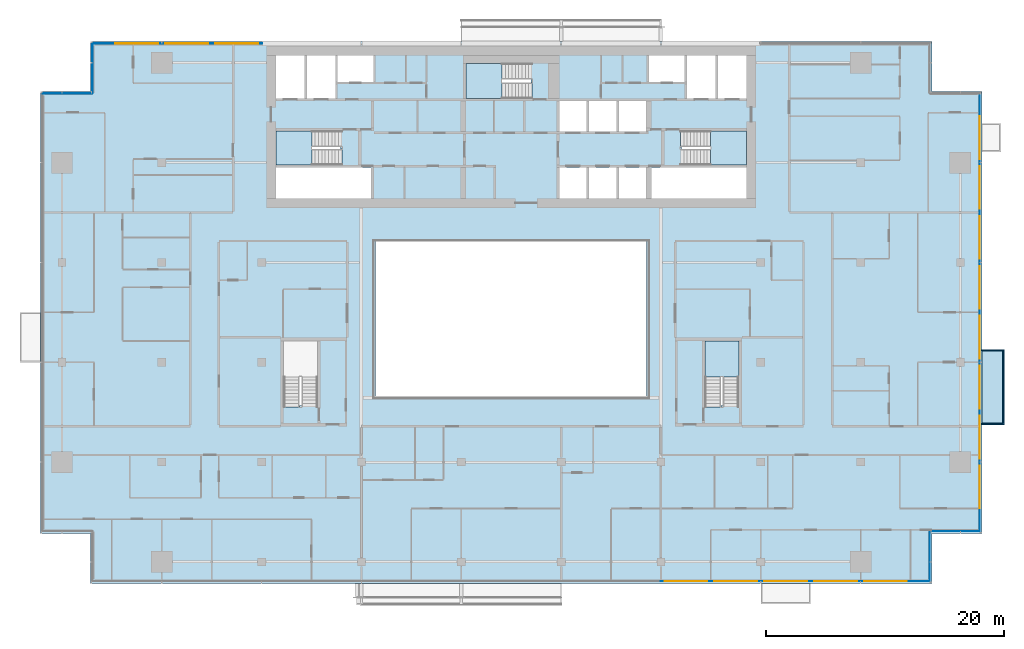
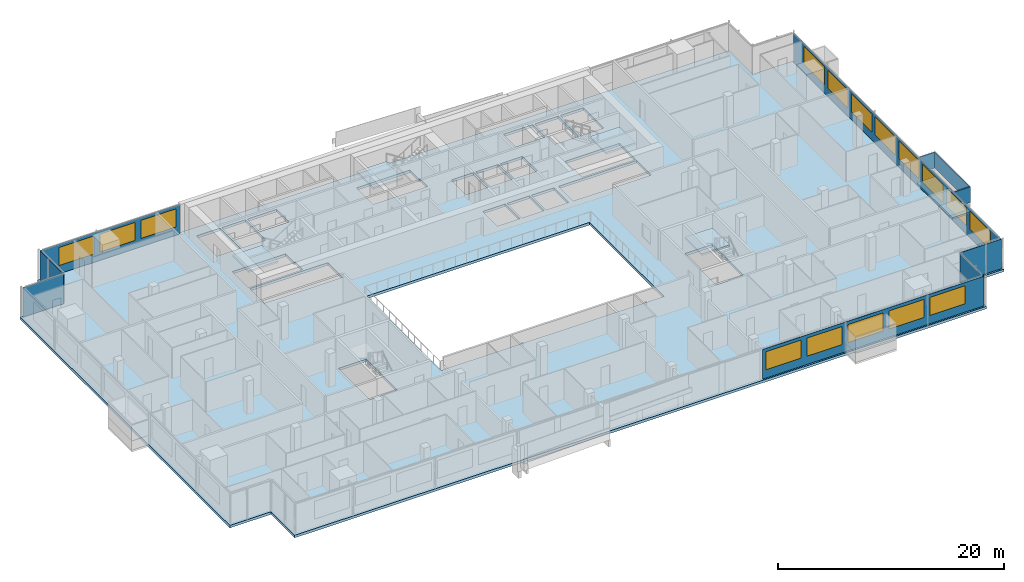
# One storey, part 15 of 27: 16 windows, 8 plates, 6 slabs, 16 openings, 11 elements without a shape of their own.
"""IFC4 building model written with IfcOpenShell, lengths in metres."""

from ifc_helpers import new_model, si_unit, direction, frame, frame_2d, origin, place, context, subcontext, project, spatial, polyline, rectangle, outline, extrude, material, layer, layer_set, type_object, element, fill, aggregate, save


model = new_model("IFC4")

# Units and contexts
model_context = context("Model", 3, precision=1e-05, world=origin(), true_north=direction((0.0, 1.0)))
body_context = subcontext(model_context, "Body", "Model", "MODEL_VIEW")
ifc_project = project(units=[si_unit("LENGTHUNIT", "METRE"), si_unit("AREAUNIT", "SQUARE_METRE"), si_unit("VOLUMEUNIT", "CUBIC_METRE"), si_unit("PLANEANGLEUNIT", "RADIAN"), si_unit("MASSUNIT", "GRAM", prefix="KILO")], contexts=[model_context])

# Site, building, storey
site_placement = place(None, origin())
site = spatial("IfcSite", under=ifc_project, at=site_placement, CompositionType="ELEMENT")
building_placement = place(site_placement, origin())
building = spatial("IfcBuilding", under=site, at=building_placement, Name="Saffron Gate Tower", CompositionType="ELEMENT")
storey_placement = place(building_placement, frame((0.0, 0.0, 172.64990234375)))
storey = spatial("IfcBuildingStorey", under=building, at=storey_placement, Name="L42", CompositionType="ELEMENT", Elevation=172.64990234375)

# Curtain wall, plate, openings, windows
ifc_material_1 = material(Name="Aluminium, bronze anodised", Category="aluminium")
curtain_wall_type_1 = type_object("IfcCurtainWallType", Name="CWS1 curtain wall front facade", PredefinedType="NOTDEFINED", material=ifc_material_1)
curtain_wall_1_placement = place(storey_placement, origin())
curtain_wall_1 = element("IfcCurtainWall", 1, at=curtain_wall_1_placement, inside=storey, type_object=curtain_wall_type_1, Name="CWS1 run 1", PredefinedType="NOTDEFINED")
ifc_material_2 = material(Name="Fritted bronze-tinted laminated glass", Category="glass")
ifc_layer_1 = layer(ifc_material_2, 0.028076171875)
ifc_layer_set_1 = layer_set([ifc_layer_1], Name="CWS1 fixed glass")
plate_type_1 = type_object("IfcPlateType", Name="CWS1 fixed glass", PredefinedType="CURTAIN_PANEL", material=ifc_layer_set_1)
plate_1_placement = place(storey_placement, frame((100.169921875, 30.174072265625, 0.0), z_axis=(0.0, 0.0, 1.0), x_axis=(1.0, 0.0, 0.0)))
plate_1 = element("IfcPlate", 2, at=plate_1_placement, type_object=plate_type_1, Name="CWS1 glass panel", PredefinedType="CURTAIN_PANEL", context=body_context, shape_type="SweptSolid", body=[
    extrude(rectangle(XDim=22.64208984375, YDim=0.028076171875, at=frame_2d((11.321044921875, 0.0))), origin(), (0.0, 0.0, 1.0), 3.2001953125),
])
opening_1_placement = place(plate_1_placement, frame((0.330078125, 0.0, 0.89990234375)))
opening_1 = element("IfcOpeningElement", 3, at=opening_1_placement, cuts=plate_1, Name="Opening W1", PredefinedType="OPENING", context=body_context, shape_type="SweptSolid", body=[
    extrude(rectangle(XDim=3.60009765625, YDim=1.949951171875, at=frame_2d((1.800048828125, 0.97509765625))), frame((0.0, 0.02392578125, 0.0), z_axis=(0.0, -1.0, 0.0), x_axis=(1.0, 0.0, 0.0)), (0.0, 0.0, 1.0), 0.048095703125),
])
opening_2_placement = place(plate_1_placement, frame((4.530029296875, 0.0, 0.89990234375)))
opening_2 = element("IfcOpeningElement", 4, at=opening_2_placement, cuts=plate_1, Name="Opening W1", PredefinedType="OPENING", context=body_context, shape_type="SweptSolid", body=[
    extrude(rectangle(XDim=3.60009765625, YDim=1.949951171875, at=frame_2d((1.800048828125, 0.97509765625))), frame((0.0, 0.02392578125, 0.0), z_axis=(0.0, -1.0, 0.0), x_axis=(1.0, 0.0, 0.0)), (0.0, 0.0, 1.0), 0.048095703125),
])
opening_3_placement = place(plate_1_placement, frame((8.72998046875, 0.0, 0.89990234375)))
opening_3 = element("IfcOpeningElement", 5, at=opening_3_placement, cuts=plate_1, Name="Opening W1", PredefinedType="OPENING", context=body_context, shape_type="SweptSolid", body=[
    extrude(rectangle(XDim=3.60009765625, YDim=1.949951171875, at=frame_2d((1.800048828125, 0.97509765625))), frame((0.0, 0.02392578125, 0.0), z_axis=(0.0, -1.0, 0.0), x_axis=(1.0, 0.0, 0.0)), (0.0, 0.0, 1.0), 0.048095703125),
])
opening_4_placement = place(plate_1_placement, frame((12.929931640625, 0.0, 0.89990234375)))
opening_4 = element("IfcOpeningElement", 6, at=opening_4_placement, cuts=plate_1, Name="Opening W1", PredefinedType="OPENING", context=body_context, shape_type="SweptSolid", body=[
    extrude(rectangle(XDim=3.60009765625, YDim=1.949951171875, at=frame_2d((1.800048828125, 0.97509765625))), frame((0.0, 0.02392578125, 0.0), z_axis=(0.0, -1.0, 0.0), x_axis=(1.0, 0.0, 0.0)), (0.0, 0.0, 1.0), 0.048095703125),
])
opening_5_placement = place(plate_1_placement, frame((17.1298828125, 0.0, 0.89990234375)))
opening_5 = element("IfcOpeningElement", 7, at=opening_5_placement, cuts=plate_1, Name="Opening W1", PredefinedType="OPENING", context=body_context, shape_type="SweptSolid", body=[
    extrude(rectangle(XDim=3.60009765625, YDim=1.949951171875, at=frame_2d((1.800048828125, 0.97509765625))), frame((0.0, 0.02392578125, 0.0), z_axis=(0.0, -1.0, 0.0), x_axis=(1.0, 0.0, 0.0)), (0.0, 0.0, 1.0), 0.048095703125),
])
ifc_material_3 = material(Name="Fritted bronze-tinted laminated glass in bronze frame", Category="glass")
ifc_layer_2 = layer(ifc_material_3, 0.06005859375)
ifc_layer_set_2 = layer_set([ifc_layer_2], Name="W1 operable panel 3600x1950")
window_type = type_object("IfcWindowType", Name="W1 operable panel 3600x1950", PartitioningType="DOUBLE_PANEL_HORIZONTAL", PredefinedType="WINDOW", material=ifc_layer_set_2)
window_1_placement = place(opening_1_placement, origin())
window_1 = element("IfcWindow", 8, at=window_1_placement, type_object=window_type, Name="W1 operable panel", OverallHeight=1.949951171875, OverallWidth=3.60009765625, PartitioningType="SINGLE_PANEL", PredefinedType="WINDOW", context=body_context, shape_type="SweptSolid", body=[
    extrude(rectangle(XDim=3.60009765625, YDim=1.949951171875, at=frame_2d((1.800048828125, 0.97509765625))), frame((0.0, 0.013671875, 0.0), z_axis=(0.0, -1.0, 0.0), x_axis=(1.0, 0.0, 0.0)), (0.0, 0.0, 1.0), 0.027587890625),
])
fill(opening_1, window_1)
window_2_placement = place(opening_2_placement, origin())
window_2 = element("IfcWindow", 9, at=window_2_placement, type_object=window_type, Name="W1 operable panel", OverallHeight=1.949951171875, OverallWidth=3.60009765625, PartitioningType="SINGLE_PANEL", PredefinedType="WINDOW", context=body_context, shape_type="SweptSolid", body=[
    extrude(rectangle(XDim=3.60009765625, YDim=1.949951171875, at=frame_2d((1.800048828125, 0.97509765625))), frame((0.0, 0.013671875, 0.0), z_axis=(0.0, -1.0, 0.0), x_axis=(1.0, 0.0, 0.0)), (0.0, 0.0, 1.0), 0.027587890625),
])
fill(opening_2, window_2)
window_3_placement = place(opening_3_placement, origin())
window_3 = element("IfcWindow", 10, at=window_3_placement, type_object=window_type, Name="W1 operable panel", OverallHeight=1.949951171875, OverallWidth=3.60009765625, PartitioningType="SINGLE_PANEL", PredefinedType="WINDOW", context=body_context, shape_type="SweptSolid", body=[
    extrude(rectangle(XDim=3.60009765625, YDim=1.949951171875, at=frame_2d((1.800048828125, 0.97509765625))), frame((0.0, 0.013671875, 0.0), z_axis=(0.0, -1.0, 0.0), x_axis=(1.0, 0.0, 0.0)), (0.0, 0.0, 1.0), 0.027587890625),
])
fill(opening_3, window_3)
window_4_placement = place(opening_4_placement, origin())
window_4 = element("IfcWindow", 11, at=window_4_placement, type_object=window_type, Name="W1 operable panel", OverallHeight=1.949951171875, OverallWidth=3.60009765625, PartitioningType="SINGLE_PANEL", PredefinedType="WINDOW", context=body_context, shape_type="SweptSolid", body=[
    extrude(rectangle(XDim=3.60009765625, YDim=1.949951171875, at=frame_2d((1.800048828125, 0.97509765625))), frame((0.0, 0.013671875, 0.0), z_axis=(0.0, -1.0, 0.0), x_axis=(1.0, 0.0, 0.0)), (0.0, 0.0, 1.0), 0.027587890625),
])
fill(opening_4, window_4)
window_5_placement = place(opening_5_placement, origin())
window_5 = element("IfcWindow", 12, at=window_5_placement, type_object=window_type, Name="W1 operable panel", OverallHeight=1.949951171875, OverallWidth=3.60009765625, PartitioningType="SINGLE_PANEL", PredefinedType="WINDOW", context=body_context, shape_type="SweptSolid", body=[
    extrude(rectangle(XDim=3.60009765625, YDim=1.949951171875, at=frame_2d((1.800048828125, 0.97509765625))), frame((0.0, 0.013671875, 0.0), z_axis=(0.0, -1.0, 0.0), x_axis=(1.0, 0.0, 0.0)), (0.0, 0.0, 1.0), 0.027587890625),
])
fill(opening_5, window_5)
aggregate(curtain_wall_1, [plate_1, window_1, window_2, window_3, window_4, window_5])

curtain_wall_type_2 = type_object("IfcCurtainWallType", Name="CWS2 curtain wall side facades", PredefinedType="NOTDEFINED", material=ifc_material_1)
curtain_wall_2_placement = place(storey_placement, origin())
curtain_wall_2 = element("IfcCurtainWall", 13, at=curtain_wall_2_placement, inside=storey, type_object=curtain_wall_type_2, Name="CWS2 run 4", PredefinedType="NOTDEFINED")
ifc_layer_3 = layer(ifc_material_2, 0.028076171875)
ifc_layer_set_3 = layer_set([ifc_layer_3], Name="CWS2 fixed glass")
plate_type_2 = type_object("IfcPlateType", Name="CWS2 fixed glass", PredefinedType="CURTAIN_PANEL", material=ifc_layer_set_3)
plate_2_placement = place(storey_placement, frame((127.02587890625, 34.387939453125, 0.0), z_axis=(0.0, 0.0, 1.0), x_axis=(0.0, 1.0, 0.0)))
plate_2 = element("IfcPlate", 14, at=plate_2_placement, type_object=plate_type_2, Name="CWS2 glass panel", PredefinedType="CURTAIN_PANEL", context=body_context, shape_type="SweptSolid", body=[
    extrude(rectangle(XDim=36.823974609375, YDim=0.028076171875, at=frame_2d((18.412109375, 0.0))), origin(), (0.0, 0.0, 1.0), 3.2001953125),
])
opening_6_placement = place(plate_2_placement, frame((1.912109375, 0.0, 0.89990234375)))
opening_6 = element("IfcOpeningElement", 15, at=opening_6_placement, cuts=plate_2, Name="Opening W1", PredefinedType="OPENING", context=body_context, shape_type="SweptSolid", body=[
    extrude(rectangle(XDim=3.60009765625, YDim=1.949951171875, at=frame_2d((1.800048828125, 0.97509765625))), frame((0.0, 0.02392578125, 0.0), z_axis=(0.0, -1.0, 0.0), x_axis=(1.0, 0.0, 0.0)), (0.0, 0.0, 1.0), 0.048095703125),
])
opening_7_placement = place(plate_2_placement, frame((6.112060546875, 0.0, 0.89990234375)))
opening_7 = element("IfcOpeningElement", 16, at=opening_7_placement, cuts=plate_2, Name="Opening W1", PredefinedType="OPENING", context=body_context, shape_type="SweptSolid", body=[
    extrude(rectangle(XDim=3.60009765625, YDim=1.949951171875, at=frame_2d((1.800048828125, 0.97509765625))), frame((0.0, 0.02392578125, 0.0), z_axis=(0.0, -1.0, 0.0), x_axis=(1.0, 0.0, 0.0)), (0.0, 0.0, 1.0), 0.048095703125),
])
opening_8_placement = place(plate_2_placement, frame((10.31201171875, 0.0, 0.89990234375)))
opening_8 = element("IfcOpeningElement", 17, at=opening_8_placement, cuts=plate_2, Name="Opening W1", PredefinedType="OPENING", context=body_context, shape_type="SweptSolid", body=[
    extrude(rectangle(XDim=3.60009765625, YDim=1.949951171875, at=frame_2d((1.800048828125, 0.97509765625))), frame((0.0, 0.02392578125, 0.0), z_axis=(0.0, -1.0, 0.0), x_axis=(1.0, 0.0, 0.0)), (0.0, 0.0, 1.0), 0.048095703125),
])
opening_9_placement = place(plate_2_placement, frame((14.511962890625, 0.0, 0.89990234375)))
opening_9 = element("IfcOpeningElement", 18, at=opening_9_placement, cuts=plate_2, Name="Opening W1", PredefinedType="OPENING", context=body_context, shape_type="SweptSolid", body=[
    extrude(rectangle(XDim=3.60009765625, YDim=1.949951171875, at=frame_2d((1.800048828125, 0.97509765625))), frame((0.0, 0.02392578125, 0.0), z_axis=(0.0, -1.0, 0.0), x_axis=(1.0, 0.0, 0.0)), (0.0, 0.0, 1.0), 0.048095703125),
])
opening_10_placement = place(plate_2_placement, frame((18.7119140625, 0.0, 0.89990234375)))
opening_10 = element("IfcOpeningElement", 19, at=opening_10_placement, cuts=plate_2, Name="Opening W1", PredefinedType="OPENING", context=body_context, shape_type="SweptSolid", body=[
    extrude(rectangle(XDim=3.60009765625, YDim=1.949951171875, at=frame_2d((1.800048828125, 0.97509765625))), frame((0.0, 0.02392578125, 0.0), z_axis=(0.0, -1.0, 0.0), x_axis=(1.0, 0.0, 0.0)), (0.0, 0.0, 1.0), 0.048095703125),
])
opening_11_placement = place(plate_2_placement, frame((22.912109375, 0.0, 0.89990234375)))
opening_11 = element("IfcOpeningElement", 20, at=opening_11_placement, cuts=plate_2, Name="Opening W1", PredefinedType="OPENING", context=body_context, shape_type="SweptSolid", body=[
    extrude(rectangle(XDim=3.60009765625, YDim=1.949951171875, at=frame_2d((1.800048828125, 0.97509765625))), frame((0.0, 0.02392578125, 0.0), z_axis=(0.0, -1.0, 0.0), x_axis=(1.0, 0.0, 0.0)), (0.0, 0.0, 1.0), 0.048095703125),
])
opening_12_placement = place(plate_2_placement, frame((27.112060546875, 0.0, 0.89990234375)))
opening_12 = element("IfcOpeningElement", 21, at=opening_12_placement, cuts=plate_2, Name="Opening W1", PredefinedType="OPENING", context=body_context, shape_type="SweptSolid", body=[
    extrude(rectangle(XDim=3.60009765625, YDim=1.949951171875, at=frame_2d((1.800048828125, 0.97509765625))), frame((0.0, 0.02392578125, 0.0), z_axis=(0.0, -1.0, 0.0), x_axis=(1.0, 0.0, 0.0)), (0.0, 0.0, 1.0), 0.048095703125),
])
opening_13_placement = place(plate_2_placement, frame((31.31201171875, 0.0, 0.89990234375)))
opening_13 = element("IfcOpeningElement", 22, at=opening_13_placement, cuts=plate_2, Name="Opening W1", PredefinedType="OPENING", context=body_context, shape_type="SweptSolid", body=[
    extrude(rectangle(XDim=3.60009765625, YDim=1.949951171875, at=frame_2d((1.800048828125, 0.97509765625))), frame((0.0, 0.02392578125, 0.0), z_axis=(0.0, -1.0, 0.0), x_axis=(1.0, 0.0, 0.0)), (0.0, 0.0, 1.0), 0.048095703125),
])
window_6_placement = place(opening_6_placement, origin())
window_6 = element("IfcWindow", 23, at=window_6_placement, type_object=window_type, Name="W1 operable panel", OverallHeight=1.949951171875, OverallWidth=3.60009765625, PartitioningType="SINGLE_PANEL", PredefinedType="WINDOW", context=body_context, shape_type="SweptSolid", body=[
    extrude(rectangle(XDim=3.60009765625, YDim=1.949951171875, at=frame_2d((1.800048828125, 0.97509765625))), frame((0.0, 0.013671875, 0.0), z_axis=(0.0, -1.0, 0.0), x_axis=(1.0, 0.0, 0.0)), (0.0, 0.0, 1.0), 0.027587890625),
])
fill(opening_6, window_6)
window_7_placement = place(opening_7_placement, origin())
window_7 = element("IfcWindow", 24, at=window_7_placement, type_object=window_type, Name="W1 operable panel", OverallHeight=1.949951171875, OverallWidth=3.60009765625, PartitioningType="SINGLE_PANEL", PredefinedType="WINDOW", context=body_context, shape_type="SweptSolid", body=[
    extrude(rectangle(XDim=3.60009765625, YDim=1.949951171875, at=frame_2d((1.800048828125, 0.97509765625))), frame((0.0, 0.013671875, 0.0), z_axis=(0.0, -1.0, 0.0), x_axis=(1.0, 0.0, 0.0)), (0.0, 0.0, 1.0), 0.027587890625),
])
fill(opening_7, window_7)
window_8_placement = place(opening_8_placement, origin())
window_8 = element("IfcWindow", 25, at=window_8_placement, type_object=window_type, Name="W1 operable panel", OverallHeight=1.949951171875, OverallWidth=3.60009765625, PartitioningType="SINGLE_PANEL", PredefinedType="WINDOW", context=body_context, shape_type="SweptSolid", body=[
    extrude(rectangle(XDim=3.60009765625, YDim=1.949951171875, at=frame_2d((1.800048828125, 0.97509765625))), frame((0.0, 0.013671875, 0.0), z_axis=(0.0, -1.0, 0.0), x_axis=(1.0, 0.0, 0.0)), (0.0, 0.0, 1.0), 0.027587890625),
])
fill(opening_8, window_8)
window_9_placement = place(opening_9_placement, origin())
window_9 = element("IfcWindow", 26, at=window_9_placement, type_object=window_type, Name="W1 operable panel", OverallHeight=1.949951171875, OverallWidth=3.60009765625, PartitioningType="SINGLE_PANEL", PredefinedType="WINDOW", context=body_context, shape_type="SweptSolid", body=[
    extrude(rectangle(XDim=3.60009765625, YDim=1.949951171875, at=frame_2d((1.800048828125, 0.97509765625))), frame((0.0, 0.013671875, 0.0), z_axis=(0.0, -1.0, 0.0), x_axis=(1.0, 0.0, 0.0)), (0.0, 0.0, 1.0), 0.027587890625),
])
fill(opening_9, window_9)
window_10_placement = place(opening_10_placement, origin())
window_10 = element("IfcWindow", 27, at=window_10_placement, type_object=window_type, Name="W1 operable panel", OverallHeight=1.949951171875, OverallWidth=3.60009765625, PartitioningType="SINGLE_PANEL", PredefinedType="WINDOW", context=body_context, shape_type="SweptSolid", body=[
    extrude(rectangle(XDim=3.60009765625, YDim=1.949951171875, at=frame_2d((1.800048828125, 0.97509765625))), frame((0.0, 0.013671875, 0.0), z_axis=(0.0, -1.0, 0.0), x_axis=(1.0, 0.0, 0.0)), (0.0, 0.0, 1.0), 0.027587890625),
])
fill(opening_10, window_10)
window_11_placement = place(opening_11_placement, origin())
window_11 = element("IfcWindow", 28, at=window_11_placement, type_object=window_type, Name="W1 operable panel", OverallHeight=1.949951171875, OverallWidth=3.60009765625, PartitioningType="SINGLE_PANEL", PredefinedType="WINDOW", context=body_context, shape_type="SweptSolid", body=[
    extrude(rectangle(XDim=3.60009765625, YDim=1.949951171875, at=frame_2d((1.800048828125, 0.97509765625))), frame((0.0, 0.013671875, 0.0), z_axis=(0.0, -1.0, 0.0), x_axis=(1.0, 0.0, 0.0)), (0.0, 0.0, 1.0), 0.027587890625),
])
fill(opening_11, window_11)
window_12_placement = place(opening_12_placement, origin())
window_12 = element("IfcWindow", 29, at=window_12_placement, type_object=window_type, Name="W1 operable panel", OverallHeight=1.949951171875, OverallWidth=3.60009765625, PartitioningType="SINGLE_PANEL", PredefinedType="WINDOW", context=body_context, shape_type="SweptSolid", body=[
    extrude(rectangle(XDim=3.60009765625, YDim=1.949951171875, at=frame_2d((1.800048828125, 0.97509765625))), frame((0.0, 0.013671875, 0.0), z_axis=(0.0, -1.0, 0.0), x_axis=(1.0, 0.0, 0.0)), (0.0, 0.0, 1.0), 0.027587890625),
])
fill(opening_12, window_12)
window_13_placement = place(opening_13_placement, origin())
window_13 = element("IfcWindow", 30, at=window_13_placement, type_object=window_type, Name="W1 operable panel", OverallHeight=1.949951171875, OverallWidth=3.60009765625, PartitioningType="SINGLE_PANEL", PredefinedType="WINDOW", context=body_context, shape_type="SweptSolid", body=[
    extrude(rectangle(XDim=3.60009765625, YDim=1.949951171875, at=frame_2d((1.800048828125, 0.97509765625))), frame((0.0, 0.013671875, 0.0), z_axis=(0.0, -1.0, 0.0), x_axis=(1.0, 0.0, 0.0)), (0.0, 0.0, 1.0), 0.027587890625),
])
fill(opening_13, window_13)
aggregate(curtain_wall_2, [plate_2, window_6, window_7, window_8, window_9, window_10, window_11, window_12, window_13])

curtain_wall_type_3 = type_object("IfcCurtainWallType", Name="CWS3 curtain wall rear facade", PredefinedType="NOTDEFINED", material=ifc_material_1)
curtain_wall_3_placement = place(storey_placement, origin())
curtain_wall_3 = element("IfcCurtainWall", 31, at=curtain_wall_3_placement, inside=storey, type_object=curtain_wall_type_3, Name="CWS3 run 7", PredefinedType="NOTDEFINED")
ifc_material_4 = material(Name="Fritted grey-tinted laminated glass", Category="glass")
ifc_layer_4 = layer(ifc_material_4, 0.028076171875)
ifc_layer_set_4 = layer_set([ifc_layer_4], Name="CWS3 fixed glass")
plate_type_3 = type_object("IfcPlateType", Name="CWS3 fixed glass", PredefinedType="CURTAIN_PANEL", material=ifc_layer_set_4)
plate_3_placement = place(storey_placement, frame((66.635009765625, 75.426025390625, 0.0), z_axis=(0.0, 0.0, 1.0), x_axis=(-1.0, 0.0, 0.0)))
plate_3 = element("IfcPlate", 32, at=plate_3_placement, type_object=plate_type_3, Name="CWS3 glass panel", PredefinedType="CURTAIN_PANEL", context=body_context, shape_type="SweptSolid", body=[
    extrude(rectangle(XDim=14.2470703125, YDim=0.028076171875, at=frame_2d((7.12353515625, 0.0))), origin(), (0.0, 0.0, 1.0), 3.2001953125),
])
opening_14_placement = place(plate_3_placement, frame((0.3349609375, 0.0, 0.89990234375)))
opening_14 = element("IfcOpeningElement", 33, at=opening_14_placement, cuts=plate_3, Name="Opening W1", PredefinedType="OPENING", context=body_context, shape_type="SweptSolid", body=[
    extrude(rectangle(XDim=3.60009765625, YDim=1.949951171875, at=frame_2d((1.800048828125, 0.97509765625))), frame((0.0, 0.02392578125, 0.0), z_axis=(0.0, -1.0, 0.0), x_axis=(1.0, 0.0, 0.0)), (0.0, 0.0, 1.0), 0.048095703125),
])
opening_15_placement = place(plate_3_placement, frame((4.534912109375, 0.0, 0.89990234375)))
opening_15 = element("IfcOpeningElement", 34, at=opening_15_placement, cuts=plate_3, Name="Opening W1", PredefinedType="OPENING", context=body_context, shape_type="SweptSolid", body=[
    extrude(rectangle(XDim=3.60009765625, YDim=1.949951171875, at=frame_2d((1.800048828125, 0.97509765625))), frame((0.0, 0.02392578125, 0.0), z_axis=(0.0, -1.0, 0.0), x_axis=(1.0, 0.0, 0.0)), (0.0, 0.0, 1.0), 0.048095703125),
])
opening_16_placement = place(plate_3_placement, frame((8.735107421875, 0.0, 0.89990234375)))
opening_16 = element("IfcOpeningElement", 35, at=opening_16_placement, cuts=plate_3, Name="Opening W1", PredefinedType="OPENING", context=body_context, shape_type="SweptSolid", body=[
    extrude(rectangle(XDim=3.60009765625, YDim=1.949951171875, at=frame_2d((1.800048828125, 0.97509765625))), frame((0.0, 0.02392578125, 0.0), z_axis=(0.0, -1.0, 0.0), x_axis=(1.0, 0.0, 0.0)), (0.0, 0.0, 1.0), 0.048095703125),
])
window_14_placement = place(opening_14_placement, origin())
window_14 = element("IfcWindow", 36, at=window_14_placement, type_object=window_type, Name="W1 operable panel", OverallHeight=1.949951171875, OverallWidth=3.60009765625, PartitioningType="SINGLE_PANEL", PredefinedType="WINDOW", context=body_context, shape_type="SweptSolid", body=[
    extrude(rectangle(XDim=3.60009765625, YDim=1.949951171875, at=frame_2d((1.800048828125, 0.97509765625))), frame((0.0, 0.013671875, 0.0), z_axis=(0.0, -1.0, 0.0), x_axis=(1.0, 0.0, 0.0)), (0.0, 0.0, 1.0), 0.027587890625),
])
fill(opening_14, window_14)
window_15_placement = place(opening_15_placement, origin())
window_15 = element("IfcWindow", 37, at=window_15_placement, type_object=window_type, Name="W1 operable panel", OverallHeight=1.949951171875, OverallWidth=3.60009765625, PartitioningType="SINGLE_PANEL", PredefinedType="WINDOW", context=body_context, shape_type="SweptSolid", body=[
    extrude(rectangle(XDim=3.60009765625, YDim=1.949951171875, at=frame_2d((1.800048828125, 0.97509765625))), frame((0.0, 0.013671875, 0.0), z_axis=(0.0, -1.0, 0.0), x_axis=(1.0, 0.0, 0.0)), (0.0, 0.0, 1.0), 0.027587890625),
])
fill(opening_15, window_15)
window_16_placement = place(opening_16_placement, origin())
window_16 = element("IfcWindow", 38, at=window_16_placement, type_object=window_type, Name="W1 operable panel", OverallHeight=1.949951171875, OverallWidth=3.60009765625, PartitioningType="SINGLE_PANEL", PredefinedType="WINDOW", context=body_context, shape_type="SweptSolid", body=[
    extrude(rectangle(XDim=3.60009765625, YDim=1.949951171875, at=frame_2d((1.800048828125, 0.97509765625))), frame((0.0, 0.013671875, 0.0), z_axis=(0.0, -1.0, 0.0), x_axis=(1.0, 0.0, 0.0)), (0.0, 0.0, 1.0), 0.027587890625),
])
fill(opening_16, window_16)
aggregate(curtain_wall_3, [plate_3, window_14, window_15, window_16])

# Curtain wall, plate
curtain_wall_type_4 = type_object("IfcCurtainWallType", Name="CWS4 curtain wall corner returns", PredefinedType="NOTDEFINED", material=ifc_material_1)
curtain_wall_4_placement = place(storey_placement, origin())
curtain_wall_4 = element("IfcCurtainWall", 39, at=curtain_wall_4_placement, inside=storey, type_object=curtain_wall_type_4, Name="CWS4 run 2", PredefinedType="NOTDEFINED")
ifc_layer_5 = layer(ifc_material_2, 0.028076171875)
ifc_layer_set_5 = layer_set([ifc_layer_5], Name="CWS4 fixed glass")
plate_type_4 = type_object("IfcPlateType", Name="CWS4 fixed glass", PredefinedType="CURTAIN_PANEL", material=ifc_layer_set_5)
plate_4_placement = place(storey_placement, frame((122.825927734375, 30.18798828125, 0.0), z_axis=(0.0, 0.0, 1.0), x_axis=(0.0, 1.0, 0.0)))
plate_4 = element("IfcPlate", 40, at=plate_4_placement, type_object=plate_type_4, Name="CWS4 glass panel", PredefinedType="CURTAIN_PANEL", context=body_context, shape_type="SweptSolid", body=[
    extrude(rectangle(XDim=4.172119140625, YDim=0.028076171875, at=frame_2d((2.0859375, 0.0))), origin(), (0.0, 0.0, 1.0), 3.2001953125),
])
aggregate(curtain_wall_4, [plate_4])

curtain_wall_5_placement = place(storey_placement, origin())
curtain_wall_5 = element("IfcCurtainWall", 41, at=curtain_wall_5_placement, inside=storey, type_object=curtain_wall_type_4, Name="CWS4 run 3", PredefinedType="NOTDEFINED")
plate_5_placement = place(storey_placement, frame((122.840087890625, 34.3740234375, 0.0), z_axis=(0.0, 0.0, 1.0), x_axis=(1.0, 0.0, 0.0)))
plate_5 = element("IfcPlate", 42, at=plate_5_placement, type_object=plate_type_4, Name="CWS4 glass panel", PredefinedType="CURTAIN_PANEL", context=body_context, shape_type="SweptSolid", body=[
    extrude(rectangle(XDim=4.171875, YDim=0.028076171875, at=frame_2d((2.0859375, 0.0))), origin(), (0.0, 0.0, 1.0), 3.2001953125),
])
aggregate(curtain_wall_5, [plate_5])

curtain_wall_6_placement = place(storey_placement, origin())
curtain_wall_6 = element("IfcCurtainWall", 43, at=curtain_wall_6_placement, inside=storey, type_object=curtain_wall_type_4, Name="CWS4 run 8", PredefinedType="NOTDEFINED")
plate_6_placement = place(storey_placement, frame((52.3740234375, 75.412109375, 0.0), z_axis=(0.0, 0.0, 1.0), x_axis=(0.0, -1.0, 0.0)))
plate_6 = element("IfcPlate", 44, at=plate_6_placement, type_object=plate_type_4, Name="CWS4 glass panel", PredefinedType="CURTAIN_PANEL", context=body_context, shape_type="SweptSolid", body=[
    extrude(rectangle(XDim=4.172119140625, YDim=0.028076171875, at=frame_2d((2.0859375, 0.0))), origin(), (0.0, 0.0, 1.0), 3.2001953125),
])
aggregate(curtain_wall_6, [plate_6])

curtain_wall_7_placement = place(storey_placement, origin())
curtain_wall_7 = element("IfcCurtainWall", 45, at=curtain_wall_7_placement, inside=storey, type_object=curtain_wall_type_4, Name="CWS4 run 9", PredefinedType="NOTDEFINED")
plate_7_placement = place(storey_placement, frame((52.360107421875, 71.22607421875, 0.0), z_axis=(0.0, 0.0, 1.0), x_axis=(-1.0, 0.0, 0.0)))
plate_7 = element("IfcPlate", 46, at=plate_7_placement, type_object=plate_type_4, Name="CWS4 glass panel", PredefinedType="CURTAIN_PANEL", context=body_context, shape_type="SweptSolid", body=[
    extrude(rectangle(XDim=4.172119140625, YDim=0.028076171875, at=frame_2d((2.0859375, 0.0))), origin(), (0.0, 0.0, 1.0), 3.2001953125),
])
aggregate(curtain_wall_7, [plate_7])

# Slab
ifc_material_5 = material(Name="Concrete C40", Category="concrete")
ifc_layer_6 = layer(ifc_material_5, 0.280029296875)
ifc_layer_set_6 = layer_set([ifc_layer_6], Name="S2 FLOOR SLAB 280 CONCRETE C40")
slab_type_1 = type_object("IfcSlabType", Name="S2 FLOOR SLAB 280 CONCRETE C40", PredefinedType="FLOOR", material=ifc_layer_set_6)
slab_1_placement = place(storey_placement, frame((0.0, 0.0, -0.27978515625)))
element("IfcSlab", 47, at=slab_1_placement, inside=storey, type_object=slab_type_1, Name="S2 FLOOR SLAB", PredefinedType="FLOOR", context=body_context, shape_type="SweptSolid", body=[
    extrude(outline(polyline([(48.0, 34.199951171875), (52.199951171875, 34.199951171875), (52.199951171875, 30.0), (123.0, 30.0), (123.0, 34.199951171875), (127.199951171875, 34.199951171875), (127.199951171875, 71.39990234375), (123.0, 71.39990234375), (123.0, 75.60009765625), (52.199951171875, 75.60009765625), (52.199951171875, 71.39990234375), (48.0, 71.39990234375), (48.0, 34.199951171875)]), holes=[polyline([(67.800048828125, 62.39990234375), (67.800048828125, 65.0), (75.800048828125, 65.0), (75.800048828125, 62.39990234375), (67.800048828125, 62.39990234375)]), polyline([(67.800048828125, 65.199951171875), (67.800048828125, 68.050048828125), (73.25, 68.050048828125), (73.25, 66.550048828125), (73.34912109375, 66.550048828125), (73.34912109375, 65.199951171875), (67.800048828125, 65.199951171875)]), polyline([(67.800048828125, 70.800048828125), (67.800048828125, 74.39990234375), (70.199951171875, 74.39990234375), (70.199951171875, 70.800048828125), (67.800048828125, 70.800048828125)]), polyline([(68.449951171875, 44.85107421875), (68.449951171875, 50.39990234375), (71.300048828125, 50.39990234375), (71.300048828125, 44.949951171875), (69.800048828125, 44.949951171875), (69.800048828125, 44.85107421875), (68.449951171875, 44.85107421875)]), polyline([(70.39990234375, 70.800048828125), (70.39990234375, 74.39990234375), (72.800048828125, 74.39990234375), (72.800048828125, 70.800048828125), (70.39990234375, 70.800048828125)]), polyline([(73.0, 72.199951171875), (73.0, 74.39990234375), (76.0, 74.39990234375), (76.0, 72.199951171875), (73.0, 72.199951171875)]), polyline([(76.199951171875, 45.60009765625), (76.199951171875, 58.800048828125), (99.0, 58.800048828125), (99.0, 45.60009765625), (76.199951171875, 45.60009765625)]), polyline([(83.800048828125, 70.800048828125), (83.800048828125, 73.75), (89.25, 73.75), (89.25, 72.14990234375), (89.34912109375, 72.14990234375), (89.34912109375, 70.800048828125), (83.800048828125, 70.800048828125)]), polyline([(91.64990234375, 62.39990234375), (91.64990234375, 65.0), (93.949951171875, 65.0), (93.949951171875, 62.39990234375), (91.64990234375, 62.39990234375)]), polyline([(91.64990234375, 68.0), (91.64990234375, 70.60009765625), (93.949951171875, 70.60009765625), (93.949951171875, 68.0), (91.64990234375, 68.0)]), polyline([(94.14990234375, 62.39990234375), (94.14990234375, 65.0), (96.449951171875, 65.0), (96.449951171875, 62.39990234375), (94.14990234375, 62.39990234375)]), polyline([(94.14990234375, 68.0), (94.14990234375, 70.60009765625), (96.449951171875, 70.60009765625), (96.449951171875, 68.0), (94.14990234375, 68.0)]), polyline([(96.64990234375, 62.39990234375), (96.64990234375, 65.0), (98.949951171875, 65.0), (98.949951171875, 62.39990234375), (96.64990234375, 62.39990234375)]), polyline([(96.64990234375, 68.0), (96.64990234375, 70.60009765625), (98.949951171875, 70.60009765625), (98.949951171875, 68.0), (96.64990234375, 68.0)]), polyline([(99.199951171875, 72.199951171875), (99.199951171875, 74.39990234375), (102.199951171875, 74.39990234375), (102.199951171875, 72.199951171875), (99.199951171875, 72.199951171875)]), polyline([(99.39990234375, 62.39990234375), (99.39990234375, 65.0), (107.39990234375, 65.0), (107.39990234375, 62.39990234375), (99.39990234375, 62.39990234375)]), polyline([(101.85107421875, 66.699951171875), (101.85107421875, 68.050048828125), (107.39990234375, 68.050048828125), (107.39990234375, 65.199951171875), (101.949951171875, 65.199951171875), (101.949951171875, 66.699951171875), (101.85107421875, 66.699951171875)]), polyline([(102.39990234375, 70.800048828125), (102.39990234375, 74.39990234375), (104.800048828125, 74.39990234375), (104.800048828125, 70.800048828125), (102.39990234375, 70.800048828125)]), polyline([(103.89990234375, 44.85107421875), (103.89990234375, 50.39990234375), (106.75, 50.39990234375), (106.75, 44.949951171875), (105.25, 44.949951171875), (105.25, 44.85107421875), (103.89990234375, 44.85107421875)]), polyline([(105.0, 70.800048828125), (105.0, 74.39990234375), (107.39990234375, 74.39990234375), (107.39990234375, 70.800048828125), (105.0, 70.800048828125)])]), origin(), (0.0, 0.0, 1.0), 0.27978515625),
])

# Stair, slab
stair_type = type_object("IfcStairType", Name="ST7 Stair 1350 wide, 20 risers of 180", PredefinedType="HALF_TURN_STAIR", material=ifc_material_5)
stair_1_placement = place(storey_placement, origin())
stair_1 = element("IfcStair", 48, at=stair_1_placement, inside=storey, type_object=stair_type, Name="L42 Exit stair A", PredefinedType="HALF_TURN_STAIR")
ifc_layer_7 = layer(ifc_material_5, 0.199951171875)
ifc_layer_set_7 = layer_set([ifc_layer_7], Name="SL1 Stair landing 200")
slab_type_2 = type_object("IfcSlabType", Name="SL1 Stair landing 200", PredefinedType="LANDING", material=ifc_layer_set_7)
slab_2_placement = place(storey_placement, frame((0.0, 0.0, 1.60009765625)))
slab_2 = element("IfcSlab", 49, at=slab_2_placement, type_object=slab_type_2, Name="ST-A landing 1", PredefinedType="LANDING", context=body_context, shape_type="SweptSolid", body=[
    extrude(outline(polyline([(70.830078125, 68.050048828125), (67.800048828125, 68.050048828125), (67.800048828125, 65.199951171875), (70.830078125, 65.199951171875), (70.830078125, 68.050048828125)])), origin(), (0.0, 0.0, 1.0), 0.199951171875),
])
aggregate(stair_1, [slab_2])

stair_2_placement = place(storey_placement, origin())
stair_2 = element("IfcStair", 50, at=stair_2_placement, inside=storey, type_object=stair_type, Name="L42 Exit stair B", PredefinedType="HALF_TURN_STAIR")
slab_3_placement = place(storey_placement, frame((0.0, 0.0, 1.60009765625)))
slab_3 = element("IfcSlab", 51, at=slab_3_placement, type_object=slab_type_2, Name="ST-B landing 1", PredefinedType="LANDING", context=body_context, shape_type="SweptSolid", body=[
    extrude(outline(polyline([(104.3701171875, 65.199951171875), (107.39990234375, 65.199951171875), (107.39990234375, 68.050048828125), (104.3701171875, 68.050048828125), (104.3701171875, 65.199951171875)])), origin(), (0.0, 0.0, 1.0), 0.199951171875),
])
aggregate(stair_2, [slab_3])

stair_3_placement = place(storey_placement, origin())
stair_3 = element("IfcStair", 52, at=stair_3_placement, inside=storey, type_object=stair_type, Name="L42 Exit stair C", PredefinedType="HALF_TURN_STAIR")
slab_4_placement = place(storey_placement, frame((0.0, 0.0, 1.60009765625)))
slab_4 = element("IfcSlab", 53, at=slab_4_placement, type_object=slab_type_2, Name="ST-C landing 1", PredefinedType="LANDING", context=body_context, shape_type="SweptSolid", body=[
    extrude(outline(polyline([(86.830078125, 73.75), (83.800048828125, 73.75), (83.800048828125, 70.800048828125), (86.830078125, 70.800048828125), (86.830078125, 73.75)])), origin(), (0.0, 0.0, 1.0), 0.199951171875),
])
aggregate(stair_3, [slab_4])

stair_4_placement = place(storey_placement, origin())
stair_4 = element("IfcStair", 54, at=stair_4_placement, inside=storey, type_object=stair_type, Name="L42 Exit stair E", PredefinedType="HALF_TURN_STAIR")
slab_5_placement = place(storey_placement, frame((0.0, 0.0, 1.60009765625)))
slab_5 = element("IfcSlab", 55, at=slab_5_placement, type_object=slab_type_2, Name="ST-E landing 1", PredefinedType="LANDING", context=body_context, shape_type="SweptSolid", body=[
    extrude(outline(polyline([(106.75, 47.3701171875), (106.75, 50.39990234375), (103.89990234375, 50.39990234375), (103.89990234375, 47.3701171875), (106.75, 47.3701171875)])), origin(), (0.0, 0.0, 1.0), 0.199951171875),
])
aggregate(stair_4, [slab_5])

# Slab
ifc_material_6 = material(Name="Timber deck on bronze frame", Category="wood")
ifc_layer_8 = layer(ifc_material_6, 0.199951171875)
ifc_layer_set_8 = layer_set([ifc_layer_8], Name="WB1 box floor")
slab_type_3 = type_object("IfcSlabType", Name="WB1 box floor", PredefinedType="FLOOR", material=ifc_layer_set_8)
slab_6_placement = place(storey_placement, frame((0.0, 0.0, -0.199951171875)))
element("IfcSlab", 56, at=slab_6_placement, inside=storey, type_object=slab_type_3, Name="WINDOW BOX floor", PredefinedType="FLOOR", context=body_context, shape_type="SweptSolid", body=[
    extrude(outline(polyline([(127.199951171875, 43.35009765625), (127.199951171875, 49.64990234375), (129.06689453125, 49.64990234375), (129.06689453125, 43.35009765625), (127.199951171875, 43.35009765625)])), origin(), (0.0, 0.0, 1.0), 0.199951171875),
])

# Plate
ifc_material_7 = material(Name="Clear low-iron laminated glass", Category="glass")
ifc_layer_9 = layer(ifc_material_7, 0.10009765625)
ifc_layer_set_9 = layer_set([ifc_layer_9], Name="WB6 box glazing")
plate_type_5 = type_object("IfcPlateType", Name="WB6 box glazing", PredefinedType="SHEET", material=ifc_layer_set_9)
plate_8_placement = place(storey_placement, frame((0.0, 0.0, 1.0)))
element("IfcPlate", 57, at=plate_8_placement, inside=storey, type_object=plate_type_5, Name="WINDOW BOX glazing", PredefinedType="SHEET", context=body_context, shape_type="SweptSolid", body=[
    extrude(outline(polyline([(127.199951171875, 43.35009765625), (127.199951171875, 43.449951171875), (128.967041015625, 43.449951171875), (128.967041015625, 49.550048828125), (127.199951171875, 49.550048828125), (127.199951171875, 49.64990234375), (129.06689453125, 49.64990234375), (129.06689453125, 43.35009765625), (127.199951171875, 43.35009765625)])), origin(), (0.0, 0.0, 1.0), 1.7001953125),
])

save(model, "model.ifc")
